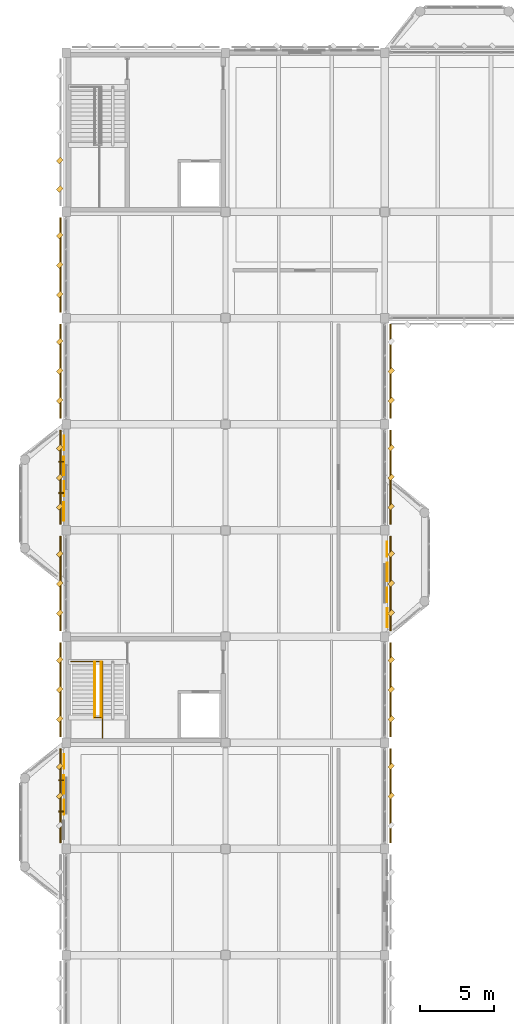
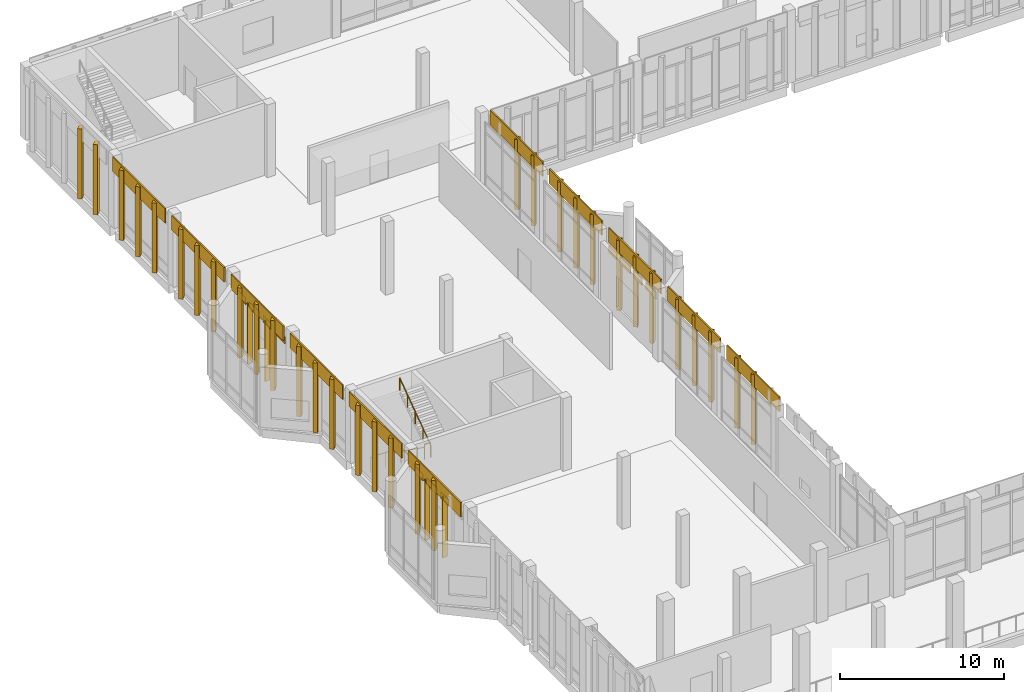
# One storey, part 170 of 180: 58 coverings, 4 railings.
"""IFC4 building model written with IfcOpenShell, lengths in metres."""

import ifcopenshell
import ifcopenshell.guid

model = None  # the IFC model being written
_history = None  # IfcOwnerHistory: only IFC2X3 demands one
_inside = {}  # id of a spatial element -> (the spatial element, [elements in it])
_under = {}  # id of a project, library or spatial element -> (it, [spatial elements below it])
_declared = {}  # id of a project -> (the project, [libraries it declares])
_typed = {}  # id of a type object -> (the type object, [elements of that type])
_made_of = {}  # id of a material, layer set ... -> (it, [elements and type objects made of it])


def new_model(schema):
    """Start an empty IFC model of exactly this schema.

    Asked for "IFC4X3", IfcOpenShell would pick the latest addendum, in which some entities
    have other attributes; the version numbers below select the first issue.
    IFC2X3 requires an IfcOwnerHistory on every rooted entity: one is made here for all.
    """
    global model, _history
    if schema == "IFC4X3":
        model = ifcopenshell.file(schema_version=(4, 3, 0, 0))
    else:
        model = ifcopenshell.file(schema=schema)
    _inside.clear()
    _under.clear()
    _declared.clear()
    _typed.clear()
    _made_of.clear()
    _history = None
    if model.schema == "IFC2X3":
        org = make("IfcOrganization", Name="unknown")
        user = make(
            "IfcPersonAndOrganization",
            ThePerson=make("IfcPerson", FamilyName="unknown"),
            TheOrganization=org,
        )
        app = make(
            "IfcApplication",
            ApplicationDeveloper=org,
            Version="unknown",
            ApplicationFullName="unknown",
            ApplicationIdentifier="unknown",
        )
        _history = make(
            "IfcOwnerHistory",
            OwningUser=user,
            OwningApplication=app,
            ChangeAction="ADDED",
            CreationDate=0,
        )
    return model


def make(cls, **values):
    """One entity of the class cls with the attributes given. An attribute that is None is left unset."""
    return model.create_entity(
        cls, **{name: value for name, value in values.items() if value is not None}
    )


def rooted(cls, **values):
    """An entity with a GlobalId (a new one), such as an element, a storey or a relation."""
    return make(cls, GlobalId=ifcopenshell.guid.new(), OwnerHistory=_history, **values)


def si_unit(unit_type, name, prefix=None):
    """IfcSIUnit, for example si_unit("LENGTHUNIT", "METRE", prefix="MILLI")."""
    return make("IfcSIUnit", UnitType=unit_type, Prefix=prefix, Name=name)


def assignment(units):
    """IfcUnitAssignment: the units of a project."""
    return None if units is None else make("IfcUnitAssignment", Units=units)


def point(xyz):
    """IfcCartesianPoint."""
    return None if xyz is None else make("IfcCartesianPoint", Coordinates=xyz)


def direction(xyz):
    """IfcDirection."""
    return None if xyz is None else make("IfcDirection", DirectionRatios=xyz)


def frame(location, z_axis=None, x_axis=None):
    """IfcAxis2Placement3D, a coordinate frame: its origin and axes. An axis left out is left unset."""
    return make(
        "IfcAxis2Placement3D",
        Location=point(location),
        Axis=direction(z_axis),
        RefDirection=direction(x_axis),
    )


def frame_2d(location, x_axis=None):
    """IfcAxis2Placement2D, a coordinate frame in the plane: its origin and x axis."""
    return make(
        "IfcAxis2Placement2D", Location=point(location), RefDirection=direction(x_axis)
    )


def origin():
    """The frame at (0, 0, 0) with its axes left unset."""
    return frame((0.0, 0.0, 0.0))


def origin_2d():
    """The frame at (0, 0) in the plane with its x axis left unset."""
    return frame_2d((0.0, 0.0))


def place(relative_to, where):
    """IfcLocalPlacement: puts the frame where relative to a parent placement (None: the world)."""
    return make(
        "IfcLocalPlacement", PlacementRelTo=relative_to, RelativePlacement=where
    )


def context(
    kind, dimensions, precision=None, world=None, true_north=None, identifier=None
):
    """IfcGeometricRepresentationContext, for example the 3D "Model" context."""
    return make(
        "IfcGeometricRepresentationContext",
        ContextIdentifier=identifier,
        ContextType=kind,
        CoordinateSpaceDimension=dimensions,
        Precision=precision,
        WorldCoordinateSystem=world,
        TrueNorth=true_north,
    )


def subcontext(parent, identifier, kind, view, scale=None):
    """IfcGeometricRepresentationSubContext, for example "Body" below "Model"."""
    return make(
        "IfcGeometricRepresentationSubContext",
        ContextIdentifier=identifier,
        ContextType=kind,
        ParentContext=parent,
        TargetScale=scale,
        TargetView=view,
    )


def project(units=None, contexts=None):
    """IfcProject with its units and contexts."""
    return rooted(
        "IfcProject",
        Name="project",
        RepresentationContexts=contexts,
        UnitsInContext=assignment(units),
    )


def spatial(cls, under=None, at=None, **own):
    """A site, building, storey or space (cls), placed at a placement, below another one or the project."""
    s = rooted(cls, ObjectPlacement=at, **own)
    if under is not None:
        _under.setdefault(under.id(), (under, []))[1].append(s)
    return s


def profile(cls, at=None, kind="AREA", **sizes):
    """A parametric profile (cls). Its sizes go by their IFC names, for example OverallWidth=200.0."""
    return make(cls, ProfileType=kind, Position=at, **sizes)


def rectangle(**sizes):
    """IfcRectangleProfileDef."""
    return profile("IfcRectangleProfileDef", **sizes)


def circle(**sizes):
    """IfcCircleProfileDef."""
    return profile("IfcCircleProfileDef", **sizes)


def extrude(swept, where, along, depth):
    """IfcExtrudedAreaSolid: the profile swept, set in the frame where, extruded along a direction by depth."""
    return make(
        "IfcExtrudedAreaSolid",
        SweptArea=swept,
        Position=where,
        ExtrudedDirection=direction(along),
        Depth=depth,
    )


def shape(context_of_items, identifier, shape_type, items):
    """IfcShapeRepresentation: the items that make up one representation, for example the "Body"."""
    return make(
        "IfcShapeRepresentation",
        ContextOfItems=context_of_items,
        RepresentationIdentifier=identifier,
        RepresentationType=shape_type,
        Items=items,
    )


def material(Name=None, Category=None):
    """IfcMaterial."""
    return make("IfcMaterial", Name=Name, Category=Category)


def layer(
    of_material, thickness, ventilated=None, Name=None, Category=None, Priority=None
):
    """IfcMaterialLayer: one layer of a wall or slab, of a material (None: an air gap)."""
    return make(
        "IfcMaterialLayer",
        Material=of_material,
        LayerThickness=thickness,
        IsVentilated=ventilated,
        Name=Name,
        Category=Category,
        Priority=Priority,
    )


def layer_set(layers, Name=None):
    """IfcMaterialLayerSet."""
    return make("IfcMaterialLayerSet", MaterialLayers=layers, LayerSetName=Name)


def made_of(thing, what):
    """Note that an element or type object is made of a material, layer set ...; save() writes the relation."""
    if what is not None:
        _made_of.setdefault(what.id(), (what, []))[1].append(thing)
    return thing


def type_object(cls, material=None, **own):
    """A type object (cls), such as IfcWallType, which elements share."""
    return made_of(rooted(cls, **own), material)


def element(
    cls,
    number,
    at=None,
    inside=None,
    cuts=None,
    type_object=None,
    material=None,
    context=None,
    identifier="Body",
    shape_type=None,
    held_by="IfcProductDefinitionShape",
    body=None,
    shapes=None,
    **own,
):
    """One element of the class cls, such as IfcWall. Its Tag is "e" and its number.

    at: its placement. inside: the storey or other place that contains it. cuts: it is an
    opening in that element (IfcRelVoidsElement). A single representation is given by context,
    identifier, shape_type and body (its items); several are given by shapes. held_by: the class
    of the entity that holds the representations. save() writes the other relations.
    """
    e = rooted(cls, Tag="e%d" % number, ObjectPlacement=at, **own)
    if body is not None:
        shapes = [shape(context, identifier, shape_type, body)]
    if shapes is not None:
        e.Representation = make(held_by, Representations=shapes)
    if inside is not None:
        _inside.setdefault(inside.id(), (inside, []))[1].append(e)
    if cuts is not None:
        rooted(
            "IfcRelVoidsElement", RelatingBuildingElement=cuts, RelatedOpeningElement=e
        )
    if type_object is not None:
        _typed.setdefault(type_object.id(), (type_object, []))[1].append(e)
    return made_of(e, material)


def aggregate(whole, parts):
    """IfcRelAggregates: a whole, such as a stair, and the parts it consists of."""
    return rooted("IfcRelAggregates", RelatingObject=whole, RelatedObjects=parts)


def save(model, path):
    """Write the relations noted so far, then the file.

    IfcRelAggregates (storeys below a building ...), IfcRelContainedInSpatialStructure (elements
    in a storey), IfcRelDefinesByType, IfcRelAssociatesMaterial and IfcRelDeclares: one each for
    every whole, place, type object, material and project.
    """
    for whole, parts in _under.values():
        aggregate(whole, parts)
    for where, things in _inside.values():
        rooted(
            "IfcRelContainedInSpatialStructure",
            RelatedElements=things,
            RelatingStructure=where,
        )
    for kind, things in _typed.values():
        rooted("IfcRelDefinesByType", RelatedObjects=things, RelatingType=kind)
    for what, things in _made_of.values():
        rooted("IfcRelAssociatesMaterial", RelatedObjects=things, RelatingMaterial=what)
    for by, libraries in _declared.values():
        rooted("IfcRelDeclares", RelatingContext=by, RelatedDefinitions=libraries)
    model.write(path)


model = new_model("IFC4")

# Units and contexts
model_context = context("Model", 3, precision=1e-05, world=origin(), true_north=direction((0.0, 1.0)))
body_context = subcontext(model_context, "Body", "Model", "MODEL_VIEW")
ifc_project = project(units=[si_unit("LENGTHUNIT", "METRE"), si_unit("AREAUNIT", "SQUARE_METRE"), si_unit("VOLUMEUNIT", "CUBIC_METRE"), si_unit("PLANEANGLEUNIT", "RADIAN"), si_unit("MASSUNIT", "GRAM", prefix="KILO")], contexts=[model_context])

# Site, building, storey
site_placement = place(None, origin())
site = spatial("IfcSite", under=ifc_project, at=site_placement, CompositionType="ELEMENT")
building_placement = place(site_placement, origin())
building = spatial("IfcBuilding", under=site, at=building_placement, Name="Lusvemor Sports Hall", CompositionType="ELEMENT")
storey_placement = place(building_placement, frame((0.0, 0.0, 5.39990234375)))
storey = spatial("IfcBuildingStorey", under=building, at=storey_placement, Name="L01", CompositionType="ELEMENT", Elevation=5.39990234375)

# Coverings
ifc_material_1 = material(Name="Emerald polychrome glazed ceramic cladding on Concrete C40/50 backing", Category="concrete")
ifc_layer_1 = layer(ifc_material_1, 0.0458984375)
ifc_layer_set_1 = layer_set([ifc_layer_1], Name="Emerald polychrome glazed ceramic cladding on Concrete C40/50 backing")
covering_type_1 = type_object("IfcCoveringType", Name="CLAD_WAVE_EMERALD", PredefinedType="CLADDING", material=ifc_layer_set_1)
for number, where, z_axis, x_axis, name in (
    (1, (-0.16552734375, 65.574951171875, 3.92529296875), (0.0, 0.0, 1.0), (1.0, 0.0, 0.0), "Art Nouveau Patterned Cladding PS-EW-L01-W-0-2-3"),
    (2, (-0.16552734375, 84.074951171875, 3.92529296875), (0.0, 0.0, 1.0), (1.0, 0.0, 0.0), "Art Nouveau Patterned Cladding PS-EW-L01-W-0-5-1"),
    (3, (-0.16552734375, 87.175048828125, 3.92529296875), (0.0, 0.0, 1.0), (1.0, 0.0, 0.0), "Art Nouveau Patterned Cladding PS-EW-L01-W-0-5-3"),
    (4, (21.765380859375, 76.875, 3.92529296875), (0.0, 0.0, 1.0), (1.0, 0.0, 0.0), "Art Nouveau Patterned Cladding PS-EW-L01-E-4-4-1"),
    (5, (21.765380859375, 79.97509765625, 3.92529296875), (0.0, 0.0, 1.0), (1.0, 0.0, 0.0), "Art Nouveau Patterned Cladding PS-EW-L01-E-4-4-3"),
):
    element("IfcCovering", number, at=place(storey_placement, frame(where, z_axis=z_axis, x_axis=x_axis)), inside=storey, type_object=covering_type_1, Name=name, PredefinedType="CLADDING", context=body_context, shape_type="SweptSolid", body=[
        extrude(rectangle(XDim=0.0458984375, YDim=1.27099609375, at=origin_2d()), origin(), (0.0, 0.0, 1.0), 0.510009765625),
    ])
for number, where, z_axis, x_axis, name in (
    (6, (-0.43994140625, 64.800048828125, 0.10009765625), (0.0, 0.0, 1.0), (0.707106781187, 0.707106781187, 0.0), "Patterned Diamond Cladding Rib 1023"),
    (7, (-0.43994140625, 72.0, 0.10009765625), (0.0, 0.0, 1.0), (0.707106781187, 0.707106781187, 0.0), "Patterned Diamond Cladding Rib 1039"),
    (8, (-0.43994140625, 79.199951171875, 0.10009765625), (0.0, 0.0, 1.0), (0.707106781187, 0.707106781187, 0.0), "Patterned Diamond Cladding Rib 1055"),
    (9, (-0.43994140625, 86.39990234375, 0.10009765625), (0.0, 0.0, 1.0), (0.707106781187, 0.707106781187, 0.0), "Patterned Diamond Cladding Rib 1071"),
    (10, (-0.43994140625, 93.60009765625, 0.10009765625), (0.0, 0.0, 1.0), (0.707106781187, 0.707106781187, 0.0), "Patterned Diamond Cladding Rib 1087"),
    (11, (-0.43994140625, 100.800048828125, 0.10009765625), (0.0, 0.0, 1.0), (0.707106781187, 0.707106781187, 0.0), "Patterned Diamond Cladding Rib 1106"),
    (12, (-0.43994140625, 107.8798828125, 0.10009765625), (0.0, 0.0, 1.0), (0.707106781187, 0.707106781187, 0.0), "Patterned Diamond Cladding Rib 1128"),
    (13, (22.0400390625, 64.800048828125, 0.10009765625), (0.0, 0.0, 1.0), (0.707106781187, 0.707106781187, 0.0), "Patterned Diamond Cladding Rib 1417"),
    (14, (22.0400390625, 72.0, 0.10009765625), (0.0, 0.0, 1.0), (0.707106781187, 0.707106781187, 0.0), "Patterned Diamond Cladding Rib 1429"),
    (15, (22.0400390625, 79.199951171875, 0.10009765625), (0.0, 0.0, 1.0), (0.707106781187, 0.707106781187, 0.0), "Patterned Diamond Cladding Rib 1441"),
    (16, (22.0400390625, 86.39990234375, 0.10009765625), (0.0, 0.0, 1.0), (0.707106781187, 0.707106781187, 0.0), "Patterned Diamond Cladding Rib 1453"),
    (17, (22.0400390625, 93.60009765625, 0.10009765625), (0.0, 0.0, 1.0), (0.707106781187, 0.707106781187, 0.0), "Patterned Diamond Cladding Rib 1465"),
):
    element("IfcCovering", number, at=place(storey_placement, frame(where, z_axis=z_axis, x_axis=x_axis)), inside=storey, type_object=covering_type_1, Name=name, PredefinedType="CLADDING", context=body_context, shape_type="SweptSolid", body=[
        extrude(rectangle(XDim=0.3798828125, YDim=0.280029296875, at=origin_2d()), origin(), (0.0, 0.0, 1.0), 5.199951171875),
    ])
ifc_material_2 = material(Name="Warm terracotta Art Nouveau ceramic cladding on Concrete C40/50 backing", Category="masonry")
ifc_layer_2 = layer(ifc_material_2, 0.0380859375)
ifc_layer_set_2 = layer_set([ifc_layer_2], Name="Warm terracotta Art Nouveau ceramic cladding on Concrete C40/50 backing")
covering_type_2 = type_object("IfcCoveringType", Name="CLAD_WAVE_OCHRE", PredefinedType="CLADDING", material=ifc_layer_set_2)
for number, where, z_axis, x_axis, name in (
    (18, (-0.16162109375, 64.02490234375, 3.92529296875), (0.0, 0.0, 1.0), (1.0, 0.0, 0.0), "Art Nouveau Patterned Cladding PS-EW-L01-W-0-2-2"),
    (19, (-0.16162109375, 67.125, 3.92529296875), (0.0, 0.0, 1.0), (1.0, 0.0, 0.0), "Art Nouveau Patterned Cladding PS-EW-L01-W-0-2-4"),
    (20, (-0.16162109375, 85.625, 3.92529296875), (0.0, 0.0, 1.0), (1.0, 0.0, 0.0), "Art Nouveau Patterned Cladding PS-EW-L01-W-0-5-2"),
    (21, (-0.16162109375, 88.72509765625, 3.92529296875), (0.0, 0.0, 1.0), (1.0, 0.0, 0.0), "Art Nouveau Patterned Cladding PS-EW-L01-W-0-5-4"),
    (22, (21.761474609375, 78.425048828125, 3.92529296875), (0.0, 0.0, 1.0), (1.0, 0.0, 0.0), "Art Nouveau Patterned Cladding PS-EW-L01-E-4-4-2"),
    (23, (21.761474609375, 81.52490234375, 3.92529296875), (0.0, 0.0, 1.0), (1.0, 0.0, 0.0), "Art Nouveau Patterned Cladding PS-EW-L01-E-4-4-4"),
):
    element("IfcCovering", number, at=place(storey_placement, frame(where, z_axis=z_axis, x_axis=x_axis)), inside=storey, type_object=covering_type_2, Name=name, PredefinedType="CLADDING", context=body_context, shape_type="SweptSolid", body=[
        extrude(rectangle(XDim=0.0380859375, YDim=0.991943359375, at=origin_2d()), origin(), (0.0, 0.0, 1.0), 0.510009765625),
    ])
for number, where, z_axis, x_axis, name in (
    (24, (-0.389892578125, 64.800048828125, 4.380126953125), (0.0, 0.0, 1.0), (1.0, 0.0, 0.0), "Art Nouveau Spandrel Cornice 1021"),
    (25, (-0.389892578125, 72.0, 4.380126953125), (0.0, 0.0, 1.0), (1.0, 0.0, 0.0), "Art Nouveau Spandrel Cornice 1037"),
    (26, (-0.389892578125, 79.199951171875, 4.380126953125), (0.0, 0.0, 1.0), (1.0, 0.0, 0.0), "Art Nouveau Spandrel Cornice 1053"),
    (27, (-0.389892578125, 86.39990234375, 4.380126953125), (0.0, 0.0, 1.0), (1.0, 0.0, 0.0), "Art Nouveau Spandrel Cornice 1069"),
    (28, (-0.389892578125, 93.60009765625, 4.380126953125), (0.0, 0.0, 1.0), (1.0, 0.0, 0.0), "Art Nouveau Spandrel Cornice 1085"),
    (29, (-0.389892578125, 100.800048828125, 4.380126953125), (0.0, 0.0, 1.0), (1.0, 0.0, 0.0), "Art Nouveau Spandrel Cornice 1104"),
    (30, (21.989990234375, 64.800048828125, 4.380126953125), (0.0, 0.0, 1.0), (1.0, 0.0, 0.0), "Art Nouveau Spandrel Cornice 1415"),
    (31, (21.989990234375, 72.0, 4.380126953125), (0.0, 0.0, 1.0), (1.0, 0.0, 0.0), "Art Nouveau Spandrel Cornice 1427"),
    (32, (21.989990234375, 79.199951171875, 4.380126953125), (0.0, 0.0, 1.0), (1.0, 0.0, 0.0), "Art Nouveau Spandrel Cornice 1439"),
    (33, (21.989990234375, 86.39990234375, 4.380126953125), (0.0, 0.0, 1.0), (1.0, 0.0, 0.0), "Art Nouveau Spandrel Cornice 1451"),
    (34, (21.989990234375, 93.60009765625, 4.380126953125), (0.0, 0.0, 1.0), (1.0, 0.0, 0.0), "Art Nouveau Spandrel Cornice 1463"),
):
    element("IfcCovering", number, at=place(storey_placement, frame(where, z_axis=z_axis, x_axis=x_axis)), inside=storey, type_object=covering_type_2, Name=name, PredefinedType="CLADDING", context=body_context, shape_type="SweptSolid", body=[
        extrude(rectangle(XDim=0.090087890625, YDim=6.3798828125, at=origin_2d()), origin(), (0.0, 0.0, 1.0), 1.080078125),
    ])
ifc_material_3 = material(Name="Emerald polychrome glazed ceramic cladding on Concrete C40/50 backing", Category="concrete")
ifc_layer_3 = layer(ifc_material_3, 0.35009765625)
ifc_layer_set_3 = layer_set([ifc_layer_3], Name="Emerald polychrome glazed ceramic cladding on Concrete C40/50 backing")
covering_type_3 = type_object("IfcCoveringType", Name="FIN_BRISE_CER_350", PredefinedType="MOLDING", material=ifc_layer_set_3)
for number, where, z_axis, x_axis, name in (
    (35, (-0.327392578125, 63.739990234375, 0.10009765625), (0.0, 0.0, 1.0), (1.0, 0.0, 0.0), "Wing Brise-Soleil Fin L01-W-0-2-1"),
    (36, (-0.327392578125, 65.860107421875, 0.10009765625), (0.0, 0.0, 1.0), (1.0, 0.0, 0.0), "Wing Brise-Soleil Fin L01-W-0-2-2"),
    (37, (-0.327392578125, 85.340087890625, 0.10009765625), (0.0, 0.0, 1.0), (1.0, 0.0, 0.0), "Wing Brise-Soleil Fin L01-W-0-5-1"),
    (38, (-0.327392578125, 87.4599609375, 0.10009765625), (0.0, 0.0, 1.0), (1.0, 0.0, 0.0), "Wing Brise-Soleil Fin L01-W-0-5-2"),
):
    element("IfcCovering", number, at=place(storey_placement, frame(where, z_axis=z_axis, x_axis=x_axis)), inside=storey, type_object=covering_type_3, Name=name, PredefinedType="MOLDING", context=body_context, shape_type="SweptSolid", body=[
        extrude(rectangle(XDim=0.35009765625, YDim=0.080078125, at=origin_2d()), origin(), (0.0, 0.0, 1.0), 4.52001953125),
    ])
ifc_material_4 = material(Name="Warm terracotta Art Nouveau ceramic cladding on Concrete C40/50 backing", Category="masonry")
ifc_layer_4 = layer(ifc_material_4, 0.449951171875)
ifc_layer_set_4 = layer_set([ifc_layer_4], Name="Warm terracotta Art Nouveau ceramic cladding on Concrete C40/50 backing")
covering_type_4 = type_object("IfcCoveringType", Name="FIN_BRISE_CER_450", PredefinedType="MOLDING", material=ifc_layer_set_4)
for number, where, z_axis, x_axis, name in (
    (39, (-0.43994140625, 66.800048828125, 0.10009765625), (0.0, 0.0, 1.0), (0.707106781187, 0.707106781187, 0.0), "Patterned Diamond Cladding Rib 1024"),
    (40, (-0.43994140625, 70.0, 0.10009765625), (0.0, 0.0, 1.0), (0.707106781187, 0.707106781187, 0.0), "Patterned Diamond Cladding Rib 1038"),
    (41, (-0.43994140625, 74.0, 0.10009765625), (0.0, 0.0, 1.0), (0.707106781187, 0.707106781187, 0.0), "Patterned Diamond Cladding Rib 1040"),
    (42, (-0.43994140625, 77.199951171875, 0.10009765625), (0.0, 0.0, 1.0), (0.707106781187, 0.707106781187, 0.0), "Patterned Diamond Cladding Rib 1054"),
    (43, (-0.43994140625, 81.199951171875, 0.10009765625), (0.0, 0.0, 1.0), (0.707106781187, 0.707106781187, 0.0), "Patterned Diamond Cladding Rib 1056"),
    (44, (-0.43994140625, 84.39990234375, 0.10009765625), (0.0, 0.0, 1.0), (0.707106781187, 0.707106781187, 0.0), "Patterned Diamond Cladding Rib 1070"),
    (45, (-0.43994140625, 88.39990234375, 0.10009765625), (0.0, 0.0, 1.0), (0.707106781187, 0.707106781187, 0.0), "Patterned Diamond Cladding Rib 1072"),
    (46, (-0.43994140625, 91.60009765625, 0.10009765625), (0.0, 0.0, 1.0), (0.707106781187, 0.707106781187, 0.0), "Patterned Diamond Cladding Rib 1086"),
    (47, (-0.43994140625, 95.60009765625, 0.10009765625), (0.0, 0.0, 1.0), (0.707106781187, 0.707106781187, 0.0), "Patterned Diamond Cladding Rib 1088"),
    (48, (-0.43994140625, 98.800048828125, 0.10009765625), (0.0, 0.0, 1.0), (0.707106781187, 0.707106781187, 0.0), "Patterned Diamond Cladding Rib 1105"),
    (49, (-0.43994140625, 102.800048828125, 0.10009765625), (0.0, 0.0, 1.0), (0.707106781187, 0.707106781187, 0.0), "Patterned Diamond Cladding Rib 1107"),
    (50, (-0.43994140625, 105.9599609375, 0.10009765625), (0.0, 0.0, 1.0), (0.707106781187, 0.707106781187, 0.0), "Patterned Diamond Cladding Rib 1127"),
    (51, (22.0400390625, 66.800048828125, 0.10009765625), (0.0, 0.0, 1.0), (0.707106781187, 0.707106781187, 0.0), "Patterned Diamond Cladding Rib 1418"),
    (52, (22.0400390625, 70.0, 0.10009765625), (0.0, 0.0, 1.0), (0.707106781187, 0.707106781187, 0.0), "Patterned Diamond Cladding Rib 1428"),
    (53, (22.0400390625, 74.0, 0.10009765625), (0.0, 0.0, 1.0), (0.707106781187, 0.707106781187, 0.0), "Patterned Diamond Cladding Rib 1430"),
    (54, (22.0400390625, 77.199951171875, 0.10009765625), (0.0, 0.0, 1.0), (0.707106781187, 0.707106781187, 0.0), "Patterned Diamond Cladding Rib 1440"),
    (55, (22.0400390625, 81.199951171875, 0.10009765625), (0.0, 0.0, 1.0), (0.707106781187, 0.707106781187, 0.0), "Patterned Diamond Cladding Rib 1442"),
    (56, (22.0400390625, 84.39990234375, 0.10009765625), (0.0, 0.0, 1.0), (0.707106781187, 0.707106781187, 0.0), "Patterned Diamond Cladding Rib 1452"),
    (57, (22.0400390625, 88.39990234375, 0.10009765625), (0.0, 0.0, 1.0), (0.707106781187, 0.707106781187, 0.0), "Patterned Diamond Cladding Rib 1454"),
    (58, (22.0400390625, 91.60009765625, 0.10009765625), (0.0, 0.0, 1.0), (0.707106781187, 0.707106781187, 0.0), "Patterned Diamond Cladding Rib 1464"),
):
    element("IfcCovering", number, at=place(storey_placement, frame(where, z_axis=z_axis, x_axis=x_axis)), inside=storey, type_object=covering_type_4, Name=name, PredefinedType="MOLDING", context=body_context, shape_type="SweptSolid", body=[
        extrude(rectangle(XDim=0.3798828125, YDim=0.280029296875, at=origin_2d()), origin(), (0.0, 0.0, 1.0), 5.199951171875),
    ])

# Railings
ifc_material_5 = material(Name="Bronze-finished wrought-steel Art Nouveau balustrade", Category="steel")
railing_type_1 = type_object("IfcRailingType", Name="RAIL_HANDRAIL_092", PredefinedType="HANDRAIL", material=ifc_material_5)
railing_1_placement = place(storey_placement, frame((1.929931640625, 73.8798828125, 0.0)))
element("IfcRailing", 59, at=railing_1_placement, inside=storey, type_object=railing_type_1, Name="Stair STR-C3-L01 Handrail F1", PredefinedType="HANDRAIL", context=body_context, shape_type="SweptSolid", body=[
    extrude(circle(Radius=0.02392578125, at=origin_2d()), frame((0.0, 0.0, 0.89599609375), z_axis=(0.0, -0.813697957744, 0.581287909356), x_axis=(1.0, 0.0, 0.0)), (0.0, 0.0, 1.0), 4.645263671875),
    extrude(circle(Radius=0.02099609375, at=origin_2d()), origin(), (0.0, 0.0, 1.0), 0.871826171875),
    extrude(circle(Radius=0.02099609375, at=origin_2d()), frame((0.0, -0.94482421875, 0.675048828125)), (0.0, 0.0, 1.0), 0.871826171875),
    extrude(circle(Radius=0.02099609375, at=origin_2d()), frame((0.0, -1.889892578125, 1.35009765625)), (0.0, 0.0, 1.0), 0.871826171875),
    extrude(circle(Radius=0.02099609375, at=origin_2d()), frame((0.0, -2.8349609375, 2.025146484375)), (0.0, 0.0, 1.0), 0.871826171875),
    extrude(circle(Radius=0.02099609375, at=origin_2d()), frame((0.0, -3.77978515625, 2.7001953125)), (0.0, 0.0, 1.0), 0.871826171875),
])
railing_2_placement = place(storey_placement, frame((2.3701171875, 70.10009765625, 2.7001953125)))
element("IfcRailing", 60, at=railing_2_placement, inside=storey, type_object=railing_type_1, Name="Stair STR-C3-L01 Handrail F2", PredefinedType="HANDRAIL", context=body_context, shape_type="SweptSolid", body=[
    extrude(circle(Radius=0.02392578125, at=origin_2d()), frame((0.0, 0.0, 0.89599609375), z_axis=(0.0, 0.813722817161, 0.581253109094), x_axis=(-1.0, 0.0, 0.0)), (0.0, 0.0, 1.0), 4.64501953125),
    extrude(circle(Radius=0.02099609375, at=origin_2d()), origin(), (0.0, 0.0, 1.0), 0.871826171875),
    extrude(circle(Radius=0.02099609375, at=origin_2d()), frame((0.0, 0.94482421875, 0.675048828125)), (0.0, 0.0, 1.0), 0.871826171875),
    extrude(circle(Radius=0.02099609375, at=origin_2d()), frame((0.0, 1.889892578125, 1.35009765625)), (0.0, 0.0, 1.0), 0.871826171875),
    extrude(circle(Radius=0.02099609375, at=origin_2d()), frame((0.0, 2.8349609375, 2.02490234375)), (0.0, 0.0, 1.0), 0.871826171875),
    extrude(circle(Radius=0.02099609375, at=origin_2d()), frame((0.0, 3.77978515625, 2.699951171875)), (0.0, 0.0, 1.0), 0.871826171875),
])
ifc_material_6 = material(Name="Bronze-finished wrought-steel Art Nouveau balustrade", Category="steel")
railing_type_2 = type_object("IfcRailingType", Name="RAIL_STAIR_GUARD_112", PredefinedType="GUARDRAIL", material=ifc_material_6)
railing_3_placement = place(storey_placement, frame((0.340087890625, 73.89990234375, 0.0)))
element("IfcRailing", 61, at=railing_3_placement, inside=storey, type_object=railing_type_2, Name="Stairwell C3 Top Guard (L01)", PredefinedType="GUARDRAIL", context=body_context, shape_type="SweptSolid", body=[
    extrude(circle(Radius=0.02392578125, at=origin_2d()), frame((0.0, 0.0, 1.09619140625), z_axis=(1.0, 0.0, 0.0), x_axis=(0.0, 1.0, 0.0)), (0.0, 0.0, 1.0), 2.119873046875),
    extrude(circle(Radius=0.02392578125, at=origin_2d()), frame((2.119873046875, 0.0, 1.09619140625), z_axis=(0.0, -1.0, 0.0), x_axis=(1.0, 0.0, 0.0)), (0.0, 0.0, 1.0), 5.159912109375),
    extrude(circle(Radius=0.02099609375, at=origin_2d()), origin(), (0.0, 0.0, 1.0), 1.072021484375),
    extrude(circle(Radius=0.02099609375, at=origin_2d()), frame((1.06005859375, 0.0, 0.0)), (0.0, 0.0, 1.0), 1.072021484375),
    extrude(circle(Radius=0.02099609375, at=origin_2d()), frame((2.119873046875, 0.0, 0.0)), (0.0, 0.0, 1.0), 1.072021484375),
    extrude(circle(Radius=0.02099609375, at=origin_2d()), frame((2.119873046875, -1.031982421875, 0.0)), (0.0, 0.0, 1.0), 1.072021484375),
    extrude(circle(Radius=0.02099609375, at=origin_2d()), frame((2.119873046875, -2.06396484375, 0.0)), (0.0, 0.0, 1.0), 1.072021484375),
    extrude(circle(Radius=0.02099609375, at=origin_2d()), frame((2.119873046875, -3.095947265625, 0.0)), (0.0, 0.0, 1.0), 1.072021484375),
    extrude(circle(Radius=0.02099609375, at=origin_2d()), frame((2.119873046875, -4.1279296875, 0.0)), (0.0, 0.0, 1.0), 1.072021484375),
    extrude(circle(Radius=0.02099609375, at=origin_2d()), frame((2.119873046875, -5.159912109375, 0.0)), (0.0, 0.0, 1.0), 1.072021484375),
])
railing_4_placement = place(storey_placement, frame((1.929931640625, 70.1201171875, 2.7001953125)))
element("IfcRailing", 62, at=railing_4_placement, inside=storey, type_object=railing_type_2, Name="Stair STR-C3-L01 Mid Well Guard", PredefinedType="GUARDRAIL", context=body_context, shape_type="SweptSolid", body=[
    extrude(circle(Radius=0.02392578125, at=origin_2d()), frame((0.0, 0.0, 1.09619140625), z_axis=(1.0, 0.0, 0.0), x_axis=(0.0, 1.0, 0.0)), (0.0, 0.0, 1.0), 0.440185546875),
    extrude(circle(Radius=0.02099609375, at=origin_2d()), origin(), (0.0, 0.0, 1.0), 1.072021484375),
    extrude(circle(Radius=0.02099609375, at=origin_2d()), frame((0.440185546875, 0.0, 0.0)), (0.0, 0.0, 1.0), 1.072021484375),
])

save(model, "model.ifc")
